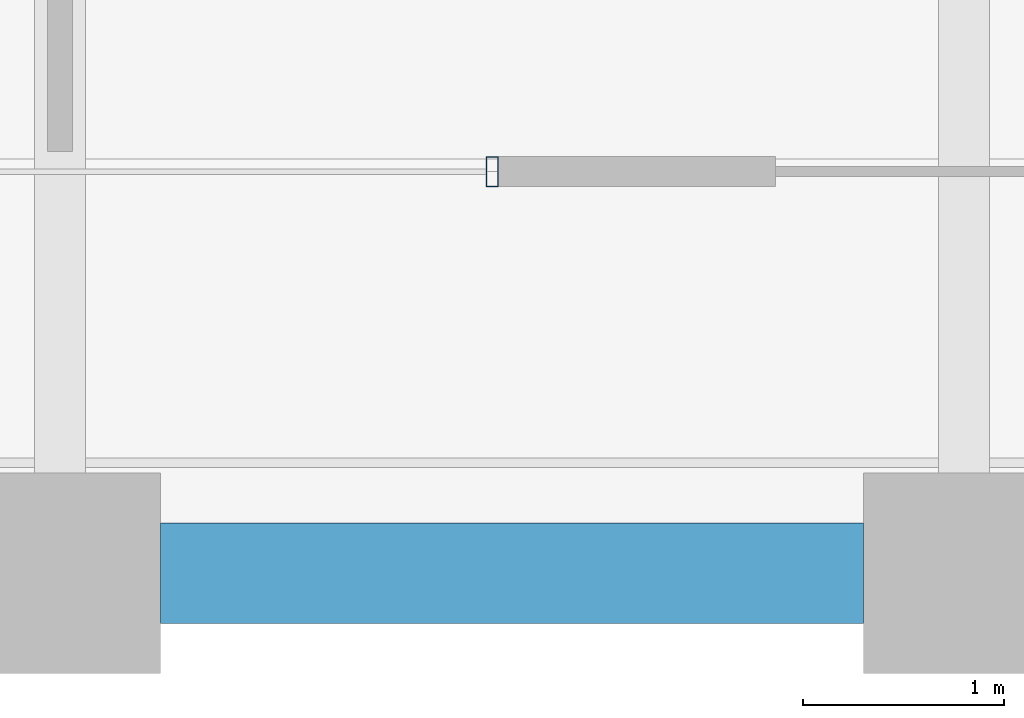
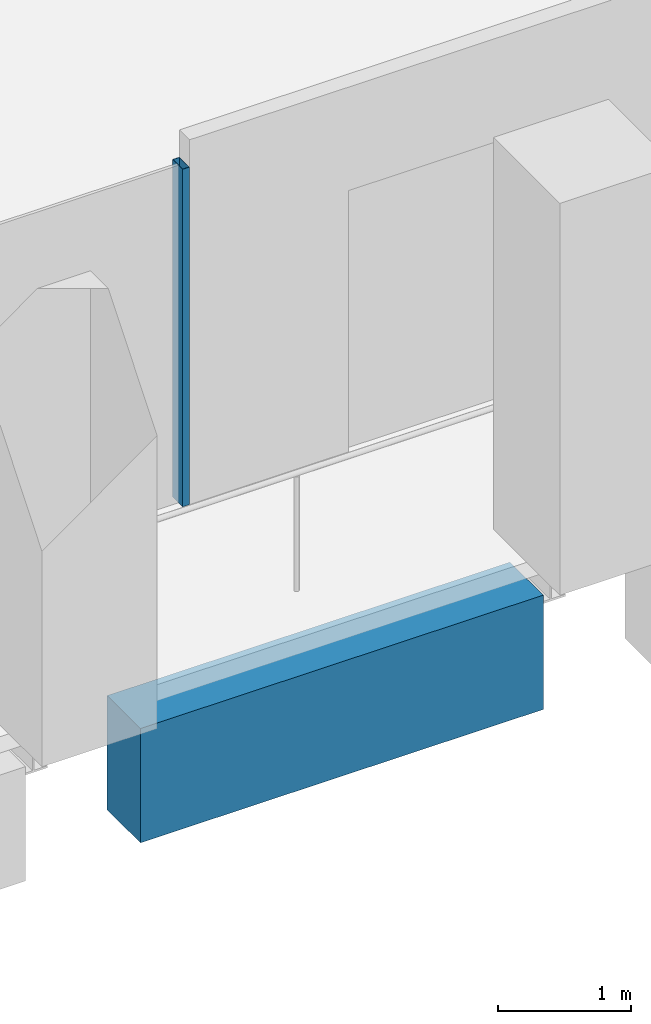
# One storey, part 7 of 45: 1 beam, 1 member, 1 element without a shape of its own.
"""IFC4 building model written with IfcOpenShell, lengths in metres."""

from ifc_helpers import new_model, si_unit, direction, frame, origin, origin_2d, place, context, subcontext, project, spatial, rectangle, hollow_rectangle, extrude, material, material_profile, profile_set, type_object, element, aggregate, save


model = new_model("IFC4")

# Units and contexts
model_context = context("Model", 3, precision=1e-05, world=origin(), true_north=direction((0.0, 1.0)))
body_context = subcontext(model_context, "Body", "Model", "MODEL_VIEW")
ifc_project = project(units=[si_unit("LENGTHUNIT", "METRE"), si_unit("AREAUNIT", "SQUARE_METRE"), si_unit("VOLUMEUNIT", "CUBIC_METRE"), si_unit("PLANEANGLEUNIT", "RADIAN"), si_unit("MASSUNIT", "GRAM", prefix="KILO")], contexts=[model_context])

# Site, building, storey
site_placement = place(None, origin())
site = spatial("IfcSite", under=ifc_project, at=site_placement, CompositionType="ELEMENT")
building_placement = place(site_placement, origin())
building = spatial("IfcBuilding", under=site, at=building_placement, Name="Altepetl Exchange Towers", CompositionType="ELEMENT")
storey_placement = place(building_placement, frame((0.0, 0.0, 110.0)))
storey = spatial("IfcBuildingStorey", under=building, at=storey_placement, Name="L27", CompositionType="ELEMENT", Elevation=110.0)

# Curtain wall, member
ifc_material_1 = material(Name="Aluminium 6063-T6 glazing", Category="aluminium")
curtain_wall_type = type_object("IfcCurtainWallType", Name="Loggia glazing system", PredefinedType="NOTDEFINED", material=ifc_material_1)
curtain_wall_placement = place(storey_placement, origin())
curtain_wall = element("IfcCurtainWall", 1, at=curtain_wall_placement, inside=storey, type_object=curtain_wall_type, Name="CW1 run", PredefinedType="NOTDEFINED")
ifc_material_2 = material(Name="Aluminium 6063-T6", Category="aluminium")
ifc_material_profile_1 = material_profile(ifc_material_2, hollow_rectangle(XDim=0.06005859375, YDim=0.14990234375, WallThickness=0.0029296875, at=origin_2d()), Name="Mullion 60x150 aluminium")
ifc_profile_set_1 = profile_set([ifc_material_profile_1], Name="Aluminium 6063-T6")
member_type = type_object("IfcMemberType", Name="Mullion 60x150 aluminium", PredefinedType="MULLION", material=ifc_profile_set_1)
member_placement = place(storey_placement, frame((47.152099609375, 29.0, 0.0)))
member = element("IfcMember", 2, at=member_placement, type_object=member_type, Name="MU1 mullion", PredefinedType="MULLION", context=body_context, shape_type="SweptSolid", body=[
    extrude(hollow_rectangle(XDim=0.06005859375, YDim=0.14990234375, WallThickness=0.0029296875, at=origin_2d()), origin(), (0.0, 0.0, 1.0), 3.10009765625),
])
aggregate(curtain_wall, [member])

# Beam
ifc_material_3 = material(Name="Concrete C50/60 precast with cantera blanca facing", Category="concrete")
ifc_material_profile_2 = material_profile(ifc_material_3, rectangle(XDim=0.5, YDim=1.050048828125, at=origin_2d()), Name="500 x 1050")
ifc_profile_set_2 = profile_set([ifc_material_profile_2], Name="Concrete C50/60 precast with cantera blanca facing")
beam_type = type_object("IfcBeamType", Name="Spandrel beam 500x1050 cantera blanca", PredefinedType="SPANDREL", material=ifc_profile_set_2)
beam_placement = place(storey_placement, frame((45.5, 27.0, -0.675048828125), z_axis=(1.0, 0.0, 0.0), x_axis=(0.0, 1.0, 0.0)))
element("IfcBeam", 3, at=beam_placement, inside=storey, type_object=beam_type, Name="sp:A:L27:003", PredefinedType="SPANDREL", context=body_context, shape_type="SweptSolid", body=[
    extrude(rectangle(XDim=0.5, YDim=1.050048828125, at=origin_2d()), origin(), (0.0, 0.0, 1.0), 3.5),
])

save(model, "model.ifc")
